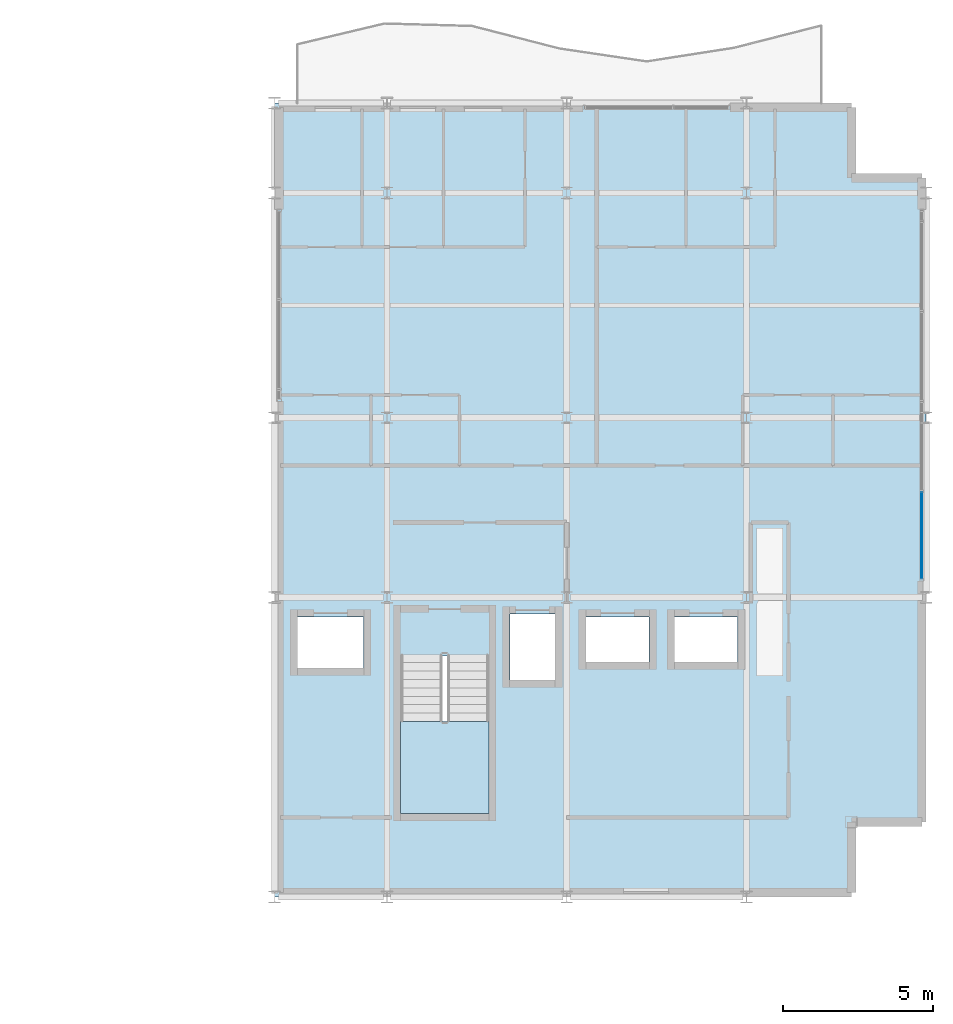
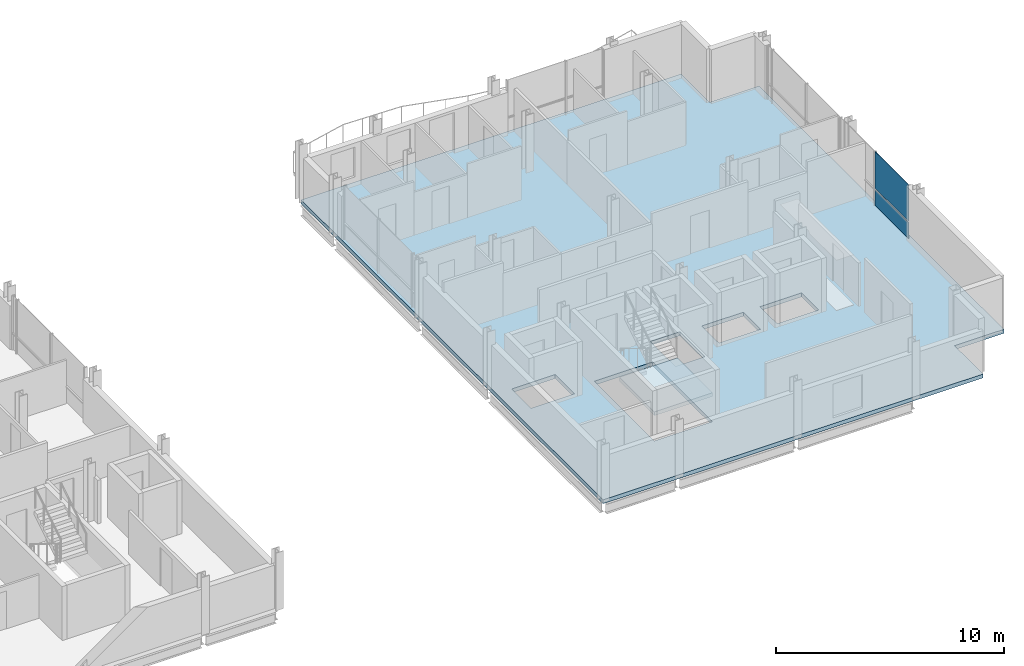
# One storey, part 18 of 27: 2 plates, 2 slabs, 2 elements without a shape of their own.
"""IFC4 building model written with IfcOpenShell, lengths in metres."""

import ifcopenshell
import ifcopenshell.guid

model = None  # the IFC model being written
_history = None  # IfcOwnerHistory: only IFC2X3 demands one
_inside = {}  # id of a spatial element -> (the spatial element, [elements in it])
_under = {}  # id of a project, library or spatial element -> (it, [spatial elements below it])
_declared = {}  # id of a project -> (the project, [libraries it declares])
_typed = {}  # id of a type object -> (the type object, [elements of that type])
_made_of = {}  # id of a material, layer set ... -> (it, [elements and type objects made of it])


def new_model(schema):
    """Start an empty IFC model of exactly this schema.

    Asked for "IFC4X3", IfcOpenShell would pick the latest addendum, in which some entities
    have other attributes; the version numbers below select the first issue.
    IFC2X3 requires an IfcOwnerHistory on every rooted entity: one is made here for all.
    """
    global model, _history
    if schema == "IFC4X3":
        model = ifcopenshell.file(schema_version=(4, 3, 0, 0))
    else:
        model = ifcopenshell.file(schema=schema)
    _inside.clear()
    _under.clear()
    _declared.clear()
    _typed.clear()
    _made_of.clear()
    _history = None
    if model.schema == "IFC2X3":
        org = make("IfcOrganization", Name="unknown")
        user = make(
            "IfcPersonAndOrganization",
            ThePerson=make("IfcPerson", FamilyName="unknown"),
            TheOrganization=org,
        )
        app = make(
            "IfcApplication",
            ApplicationDeveloper=org,
            Version="unknown",
            ApplicationFullName="unknown",
            ApplicationIdentifier="unknown",
        )
        _history = make(
            "IfcOwnerHistory",
            OwningUser=user,
            OwningApplication=app,
            ChangeAction="ADDED",
            CreationDate=0,
        )
    return model


def make(cls, **values):
    """One entity of the class cls with the attributes given. An attribute that is None is left unset."""
    return model.create_entity(
        cls, **{name: value for name, value in values.items() if value is not None}
    )


def rooted(cls, **values):
    """An entity with a GlobalId (a new one), such as an element, a storey or a relation."""
    return make(cls, GlobalId=ifcopenshell.guid.new(), OwnerHistory=_history, **values)


def si_unit(unit_type, name, prefix=None):
    """IfcSIUnit, for example si_unit("LENGTHUNIT", "METRE", prefix="MILLI")."""
    return make("IfcSIUnit", UnitType=unit_type, Prefix=prefix, Name=name)


def assignment(units):
    """IfcUnitAssignment: the units of a project."""
    return None if units is None else make("IfcUnitAssignment", Units=units)


def point(xyz):
    """IfcCartesianPoint."""
    return None if xyz is None else make("IfcCartesianPoint", Coordinates=xyz)


def direction(xyz):
    """IfcDirection."""
    return None if xyz is None else make("IfcDirection", DirectionRatios=xyz)


def frame(location, z_axis=None, x_axis=None):
    """IfcAxis2Placement3D, a coordinate frame: its origin and axes. An axis left out is left unset."""
    return make(
        "IfcAxis2Placement3D",
        Location=point(location),
        Axis=direction(z_axis),
        RefDirection=direction(x_axis),
    )


def frame_2d(location, x_axis=None):
    """IfcAxis2Placement2D, a coordinate frame in the plane: its origin and x axis."""
    return make(
        "IfcAxis2Placement2D", Location=point(location), RefDirection=direction(x_axis)
    )


def origin():
    """The frame at (0, 0, 0) with its axes left unset."""
    return frame((0.0, 0.0, 0.0))


def origin_2d():
    """The frame at (0, 0) in the plane with its x axis left unset."""
    return frame_2d((0.0, 0.0))


def place(relative_to, where):
    """IfcLocalPlacement: puts the frame where relative to a parent placement (None: the world)."""
    return make(
        "IfcLocalPlacement", PlacementRelTo=relative_to, RelativePlacement=where
    )


def context(
    kind, dimensions, precision=None, world=None, true_north=None, identifier=None
):
    """IfcGeometricRepresentationContext, for example the 3D "Model" context."""
    return make(
        "IfcGeometricRepresentationContext",
        ContextIdentifier=identifier,
        ContextType=kind,
        CoordinateSpaceDimension=dimensions,
        Precision=precision,
        WorldCoordinateSystem=world,
        TrueNorth=true_north,
    )


def subcontext(parent, identifier, kind, view, scale=None):
    """IfcGeometricRepresentationSubContext, for example "Body" below "Model"."""
    return make(
        "IfcGeometricRepresentationSubContext",
        ContextIdentifier=identifier,
        ContextType=kind,
        ParentContext=parent,
        TargetScale=scale,
        TargetView=view,
    )


def project(units=None, contexts=None):
    """IfcProject with its units and contexts."""
    return rooted(
        "IfcProject",
        Name="project",
        RepresentationContexts=contexts,
        UnitsInContext=assignment(units),
    )


def spatial(cls, under=None, at=None, **own):
    """A site, building, storey or space (cls), placed at a placement, below another one or the project."""
    s = rooted(cls, ObjectPlacement=at, **own)
    if under is not None:
        _under.setdefault(under.id(), (under, []))[1].append(s)
    return s


def polyline(points):
    """IfcPolyline through the points."""
    return make("IfcPolyline", Points=[point(p) for p in points])


def profile(cls, at=None, kind="AREA", **sizes):
    """A parametric profile (cls). Its sizes go by their IFC names, for example OverallWidth=200.0."""
    return make(cls, ProfileType=kind, Position=at, **sizes)


def rectangle(**sizes):
    """IfcRectangleProfileDef."""
    return profile("IfcRectangleProfileDef", **sizes)


def outline(outer, holes=None, kind="AREA"):
    """IfcArbitraryClosedProfileDef: a profile drawn as a closed curve; with holes, ...WithVoids."""
    if holes is None:
        return make("IfcArbitraryClosedProfileDef", ProfileType=kind, OuterCurve=outer)
    return make(
        "IfcArbitraryProfileDefWithVoids",
        ProfileType=kind,
        OuterCurve=outer,
        InnerCurves=holes,
    )


def extrude(swept, where, along, depth):
    """IfcExtrudedAreaSolid: the profile swept, set in the frame where, extruded along a direction by depth."""
    return make(
        "IfcExtrudedAreaSolid",
        SweptArea=swept,
        Position=where,
        ExtrudedDirection=direction(along),
        Depth=depth,
    )


def shape(context_of_items, identifier, shape_type, items):
    """IfcShapeRepresentation: the items that make up one representation, for example the "Body"."""
    return make(
        "IfcShapeRepresentation",
        ContextOfItems=context_of_items,
        RepresentationIdentifier=identifier,
        RepresentationType=shape_type,
        Items=items,
    )


def material(Name=None, Category=None):
    """IfcMaterial."""
    return make("IfcMaterial", Name=Name, Category=Category)


def layer(
    of_material, thickness, ventilated=None, Name=None, Category=None, Priority=None
):
    """IfcMaterialLayer: one layer of a wall or slab, of a material (None: an air gap)."""
    return make(
        "IfcMaterialLayer",
        Material=of_material,
        LayerThickness=thickness,
        IsVentilated=ventilated,
        Name=Name,
        Category=Category,
        Priority=Priority,
    )


def layer_set(layers, Name=None):
    """IfcMaterialLayerSet."""
    return make("IfcMaterialLayerSet", MaterialLayers=layers, LayerSetName=Name)


def made_of(thing, what):
    """Note that an element or type object is made of a material, layer set ...; save() writes the relation."""
    if what is not None:
        _made_of.setdefault(what.id(), (what, []))[1].append(thing)
    return thing


def type_object(cls, material=None, **own):
    """A type object (cls), such as IfcWallType, which elements share."""
    return made_of(rooted(cls, **own), material)


def element(
    cls,
    number,
    at=None,
    inside=None,
    cuts=None,
    type_object=None,
    material=None,
    context=None,
    identifier="Body",
    shape_type=None,
    held_by="IfcProductDefinitionShape",
    body=None,
    shapes=None,
    **own,
):
    """One element of the class cls, such as IfcWall. Its Tag is "e" and its number.

    at: its placement. inside: the storey or other place that contains it. cuts: it is an
    opening in that element (IfcRelVoidsElement). A single representation is given by context,
    identifier, shape_type and body (its items); several are given by shapes. held_by: the class
    of the entity that holds the representations. save() writes the other relations.
    """
    e = rooted(cls, Tag="e%d" % number, ObjectPlacement=at, **own)
    if body is not None:
        shapes = [shape(context, identifier, shape_type, body)]
    if shapes is not None:
        e.Representation = make(held_by, Representations=shapes)
    if inside is not None:
        _inside.setdefault(inside.id(), (inside, []))[1].append(e)
    if cuts is not None:
        rooted(
            "IfcRelVoidsElement", RelatingBuildingElement=cuts, RelatedOpeningElement=e
        )
    if type_object is not None:
        _typed.setdefault(type_object.id(), (type_object, []))[1].append(e)
    return made_of(e, material)


def aggregate(whole, parts):
    """IfcRelAggregates: a whole, such as a stair, and the parts it consists of."""
    return rooted("IfcRelAggregates", RelatingObject=whole, RelatedObjects=parts)


def save(model, path):
    """Write the relations noted so far, then the file.

    IfcRelAggregates (storeys below a building ...), IfcRelContainedInSpatialStructure (elements
    in a storey), IfcRelDefinesByType, IfcRelAssociatesMaterial and IfcRelDeclares: one each for
    every whole, place, type object, material and project.
    """
    for whole, parts in _under.values():
        aggregate(whole, parts)
    for where, things in _inside.values():
        rooted(
            "IfcRelContainedInSpatialStructure",
            RelatedElements=things,
            RelatingStructure=where,
        )
    for kind, things in _typed.values():
        rooted("IfcRelDefinesByType", RelatedObjects=things, RelatingType=kind)
    for what, things in _made_of.values():
        rooted("IfcRelAssociatesMaterial", RelatedObjects=things, RelatingMaterial=what)
    for by, libraries in _declared.values():
        rooted("IfcRelDeclares", RelatingContext=by, RelatedDefinitions=libraries)
    model.write(path)


model = new_model("IFC4")

# Units and contexts
model_context = context("Model", 3, precision=1e-05, world=origin(), true_north=direction((0.0, 1.0)))
body_context = subcontext(model_context, "Body", "Model", "MODEL_VIEW")
ifc_project = project(units=[si_unit("LENGTHUNIT", "METRE"), si_unit("AREAUNIT", "SQUARE_METRE"), si_unit("VOLUMEUNIT", "CUBIC_METRE"), si_unit("PLANEANGLEUNIT", "RADIAN"), si_unit("MASSUNIT", "GRAM", prefix="KILO")], contexts=[model_context])

# Site, building, storey
site_placement = place(None, origin())
site = spatial("IfcSite", under=ifc_project, at=site_placement, CompositionType="ELEMENT")
building_placement = place(site_placement, origin())
building = spatial("IfcBuilding", under=site, at=building_placement, Name="Brevholm Reach", CompositionType="ELEMENT")
storey_placement = place(building_placement, frame((0.0, 0.0, 195.60009765625)))
storey = spatial("IfcBuildingStorey", under=building, at=storey_placement, Name="L59", CompositionType="ELEMENT", Elevation=195.60009765625)

# Curtain wall, plates
ifc_material_1 = material(Name="Dark Anodised Aluminium 6063-T6 and Solar-Control Glass", Category="aluminium")
ifc_layer_1 = layer(ifc_material_1, 0.14990234375)
ifc_layer_set_1 = layer_set([ifc_layer_1], Name="Dark Anodised Aluminium 6063-T6 and Solar-Control Glass")
curtain_wall_type = type_object("IfcCurtainWallType", Name="CW-01", PredefinedType="NOTDEFINED", material=ifc_layer_set_1)
curtain_wall_placement = place(storey_placement, origin())
curtain_wall = element("IfcCurtainWall", 1, at=curtain_wall_placement, inside=storey, type_object=curtain_wall_type, Name="L59 Curtain Wall CW-01", PredefinedType="NOTDEFINED")
ifc_material_2 = material(Name="Dark Solar-Control Double-Glazed IGU Glass", Category="glass")
ifc_layer_2 = layer(ifc_material_2, 0.028076171875)
ifc_layer_set_2 = layer_set([ifc_layer_2], Name="Dark Solar-Control Double-Glazed IGU Glass")
plate_type = type_object("IfcPlateType", Name="CWP-GLZ-28", PredefinedType="CURTAIN_PANEL", material=ifc_layer_set_2)
plate_1_placement = place(storey_placement, frame((59.85009765625, 12.066162109375, 0.0), z_axis=(0.0, 0.0, 1.0), x_axis=(0.0, 1.0, 0.0)))
plate_1 = element("IfcPlate", 2, at=plate_1_placement, type_object=plate_type, Name="CP-01 Glazing Panel 1.1", PredefinedType="CURTAIN_PANEL", context=body_context, shape_type="SweptSolid", body=[
    extrude(rectangle(XDim=2.902587890625, YDim=0.028076171875, at=origin_2d()), origin(), (0.0, 0.0, 1.0), 0.867431640625),
])
plate_2_placement = place(storey_placement, frame((59.85009765625, 12.066162109375, 0.932373046875), z_axis=(0.0, 0.0, 1.0), x_axis=(0.0, 1.0, 0.0)))
plate_2 = element("IfcPlate", 3, at=plate_2_placement, type_object=plate_type, Name="CP-01 Glazing Panel 1.2", PredefinedType="CURTAIN_PANEL", context=body_context, shape_type="SweptSolid", body=[
    extrude(rectangle(XDim=2.902587890625, YDim=0.028076171875, at=origin_2d()), origin(), (0.0, 0.0, 1.0), 1.95751953125),
])
aggregate(curtain_wall, [plate_1, plate_2])

# Slab
ifc_material_3 = material(Name="Concrete C40/50", Category="concrete")
ifc_layer_3 = layer(ifc_material_3, 0.2099609375)
ifc_layer_set_3 = layer_set([ifc_layer_3], Name="Concrete C40/50")
slab_type_1 = type_object("IfcSlabType", Name="SLB-FL-210", PredefinedType="FLOOR", material=ifc_layer_set_3)
slab_1_placement = place(storey_placement, frame((0.0, 0.0, -0.210205078125)))
element("IfcSlab", 4, at=slab_1_placement, inside=storey, type_object=slab_type_1, Name="L59 Suspended Floor Slab (east-wing)", PredefinedType="FLOOR", context=body_context, shape_type="SweptSolid", body=[
    extrude(outline(polyline([(38.25, 0.0), (57.5, 0.0), (57.5, 2.5), (60.0, 2.5), (60.0, 24.0), (57.5, 24.0), (57.5, 26.5), (38.25, 26.5), (38.25, 0.0)]), holes=[polyline([(42.449951171875, 2.780029296875), (45.39990234375, 2.780029296875), (45.39990234375, 8.044921875), (42.449951171875, 8.044921875), (42.449951171875, 2.780029296875)]), polyline([(46.10009765625, 7.25), (47.60009765625, 7.25), (47.60009765625, 9.449951171875), (46.10009765625, 9.449951171875), (46.10009765625, 7.25)]), polyline([(39.02001953125, 7.64990234375), (41.219970703125, 7.64990234375), (41.219970703125, 9.35009765625), (39.02001953125, 9.35009765625), (39.02001953125, 7.64990234375)]), polyline([(48.64990234375, 7.85009765625), (50.75, 7.85009765625), (50.75, 9.35009765625), (48.64990234375, 9.35009765625), (48.64990234375, 7.85009765625)]), polyline([(51.60009765625, 7.85009765625), (53.699951171875, 7.85009765625), (53.699951171875, 9.35009765625), (51.60009765625, 9.35009765625), (51.60009765625, 7.85009765625)])]), origin(), (0.0, 0.0, 1.0), 0.210205078125),
])

# Stair, slab
ifc_material_4 = material(Name="Precast Concrete C40/50", Category="concrete")
stair_type = type_object("IfcStairType", Name="STR-ESC-1400", PredefinedType="DOUBLE_RETURN_STAIR", material=ifc_material_4)
stair_placement = place(storey_placement, origin())
stair = element("IfcStair", 5, at=stair_placement, inside=storey, type_object=stair_type, Name="L59 ST-2", PredefinedType="DOUBLE_RETURN_STAIR")
ifc_material_5 = material(Name="Concrete C40/50", Category="concrete")
ifc_layer_4 = layer(ifc_material_5, 0.199951171875)
ifc_layer_set_4 = layer_set([ifc_layer_4], Name="Concrete C40/50")
slab_type_2 = type_object("IfcSlabType", Name="SLB-LND-200", PredefinedType="LANDING", material=ifc_layer_set_4)
slab_2_placement = place(storey_placement, frame((0.0, 0.0, 1.349853515625)))
slab_2 = element("IfcSlab", 6, at=slab_2_placement, type_object=slab_type_2, Name="ST-2 landing 1", PredefinedType="LANDING", context=body_context, shape_type="SweptSolid", body=[
    extrude(outline(polyline([(42.449951171875, 5.860107421875), (42.449951171875, 2.780029296875), (45.39990234375, 2.780029296875), (45.39990234375, 5.860107421875), (42.449951171875, 5.860107421875)])), origin(), (0.0, 0.0, 1.0), 0.199951171875),
])
aggregate(stair, [slab_2])

save(model, "model.ifc")
